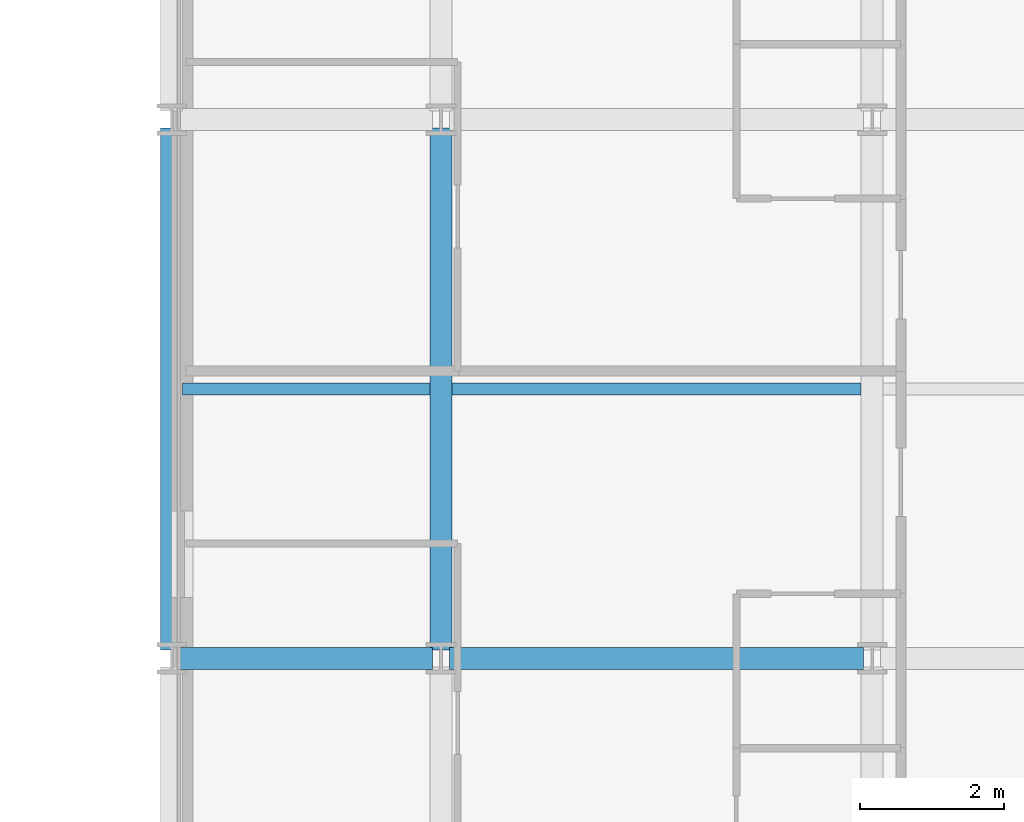
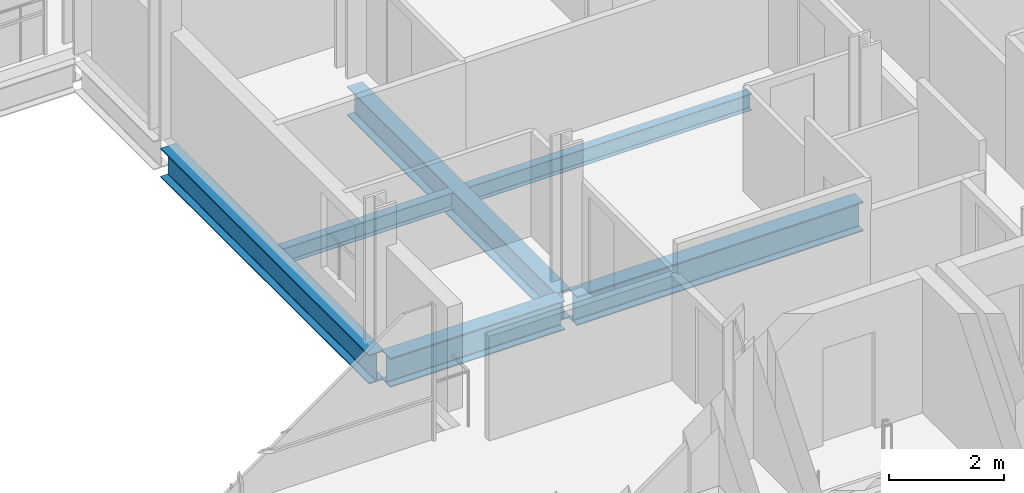
# One storey, part 16 of 40: 6 beams.
"""IFC4 building model written with IfcOpenShell, lengths in metres."""

import ifcopenshell
import ifcopenshell.guid

model = None  # the IFC model being written
_history = None  # IfcOwnerHistory: only IFC2X3 demands one
_inside = {}  # id of a spatial element -> (the spatial element, [elements in it])
_under = {}  # id of a project, library or spatial element -> (it, [spatial elements below it])
_declared = {}  # id of a project -> (the project, [libraries it declares])
_typed = {}  # id of a type object -> (the type object, [elements of that type])
_made_of = {}  # id of a material, layer set ... -> (it, [elements and type objects made of it])


def new_model(schema):
    """Start an empty IFC model of exactly this schema.

    Asked for "IFC4X3", IfcOpenShell would pick the latest addendum, in which some entities
    have other attributes; the version numbers below select the first issue.
    IFC2X3 requires an IfcOwnerHistory on every rooted entity: one is made here for all.
    """
    global model, _history
    if schema == "IFC4X3":
        model = ifcopenshell.file(schema_version=(4, 3, 0, 0))
    else:
        model = ifcopenshell.file(schema=schema)
    _inside.clear()
    _under.clear()
    _declared.clear()
    _typed.clear()
    _made_of.clear()
    _history = None
    if model.schema == "IFC2X3":
        org = make("IfcOrganization", Name="unknown")
        user = make(
            "IfcPersonAndOrganization",
            ThePerson=make("IfcPerson", FamilyName="unknown"),
            TheOrganization=org,
        )
        app = make(
            "IfcApplication",
            ApplicationDeveloper=org,
            Version="unknown",
            ApplicationFullName="unknown",
            ApplicationIdentifier="unknown",
        )
        _history = make(
            "IfcOwnerHistory",
            OwningUser=user,
            OwningApplication=app,
            ChangeAction="ADDED",
            CreationDate=0,
        )
    return model


def make(cls, **values):
    """One entity of the class cls with the attributes given. An attribute that is None is left unset."""
    return model.create_entity(
        cls, **{name: value for name, value in values.items() if value is not None}
    )


def rooted(cls, **values):
    """An entity with a GlobalId (a new one), such as an element, a storey or a relation."""
    return make(cls, GlobalId=ifcopenshell.guid.new(), OwnerHistory=_history, **values)


def si_unit(unit_type, name, prefix=None):
    """IfcSIUnit, for example si_unit("LENGTHUNIT", "METRE", prefix="MILLI")."""
    return make("IfcSIUnit", UnitType=unit_type, Prefix=prefix, Name=name)


def assignment(units):
    """IfcUnitAssignment: the units of a project."""
    return None if units is None else make("IfcUnitAssignment", Units=units)


def point(xyz):
    """IfcCartesianPoint."""
    return None if xyz is None else make("IfcCartesianPoint", Coordinates=xyz)


def direction(xyz):
    """IfcDirection."""
    return None if xyz is None else make("IfcDirection", DirectionRatios=xyz)


def frame(location, z_axis=None, x_axis=None):
    """IfcAxis2Placement3D, a coordinate frame: its origin and axes. An axis left out is left unset."""
    return make(
        "IfcAxis2Placement3D",
        Location=point(location),
        Axis=direction(z_axis),
        RefDirection=direction(x_axis),
    )


def frame_2d(location, x_axis=None):
    """IfcAxis2Placement2D, a coordinate frame in the plane: its origin and x axis."""
    return make(
        "IfcAxis2Placement2D", Location=point(location), RefDirection=direction(x_axis)
    )


def origin():
    """The frame at (0, 0, 0) with its axes left unset."""
    return frame((0.0, 0.0, 0.0))


def origin_2d():
    """The frame at (0, 0) in the plane with its x axis left unset."""
    return frame_2d((0.0, 0.0))


def place(relative_to, where):
    """IfcLocalPlacement: puts the frame where relative to a parent placement (None: the world)."""
    return make(
        "IfcLocalPlacement", PlacementRelTo=relative_to, RelativePlacement=where
    )


def context(
    kind, dimensions, precision=None, world=None, true_north=None, identifier=None
):
    """IfcGeometricRepresentationContext, for example the 3D "Model" context."""
    return make(
        "IfcGeometricRepresentationContext",
        ContextIdentifier=identifier,
        ContextType=kind,
        CoordinateSpaceDimension=dimensions,
        Precision=precision,
        WorldCoordinateSystem=world,
        TrueNorth=true_north,
    )


def subcontext(parent, identifier, kind, view, scale=None):
    """IfcGeometricRepresentationSubContext, for example "Body" below "Model"."""
    return make(
        "IfcGeometricRepresentationSubContext",
        ContextIdentifier=identifier,
        ContextType=kind,
        ParentContext=parent,
        TargetScale=scale,
        TargetView=view,
    )


def project(units=None, contexts=None):
    """IfcProject with its units and contexts."""
    return rooted(
        "IfcProject",
        Name="project",
        RepresentationContexts=contexts,
        UnitsInContext=assignment(units),
    )


def spatial(cls, under=None, at=None, **own):
    """A site, building, storey or space (cls), placed at a placement, below another one or the project."""
    s = rooted(cls, ObjectPlacement=at, **own)
    if under is not None:
        _under.setdefault(under.id(), (under, []))[1].append(s)
    return s


def profile(cls, at=None, kind="AREA", **sizes):
    """A parametric profile (cls). Its sizes go by their IFC names, for example OverallWidth=200.0."""
    return make(cls, ProfileType=kind, Position=at, **sizes)


def i_section(**sizes):
    """IfcIShapeProfileDef."""
    return profile("IfcIShapeProfileDef", **sizes)


def extrude(swept, where, along, depth):
    """IfcExtrudedAreaSolid: the profile swept, set in the frame where, extruded along a direction by depth."""
    return make(
        "IfcExtrudedAreaSolid",
        SweptArea=swept,
        Position=where,
        ExtrudedDirection=direction(along),
        Depth=depth,
    )


def shape(context_of_items, identifier, shape_type, items):
    """IfcShapeRepresentation: the items that make up one representation, for example the "Body"."""
    return make(
        "IfcShapeRepresentation",
        ContextOfItems=context_of_items,
        RepresentationIdentifier=identifier,
        RepresentationType=shape_type,
        Items=items,
    )


def material(Name=None, Category=None):
    """IfcMaterial."""
    return make("IfcMaterial", Name=Name, Category=Category)


def material_profile(
    of_material, cross_section, Name=None, Category=None, Priority=None
):
    """IfcMaterialProfile: a cross section and its material."""
    return make(
        "IfcMaterialProfile",
        Name=Name,
        Material=of_material,
        Profile=cross_section,
        Priority=Priority,
        Category=Category,
    )


def profile_set(profiles, Name=None, composite=None):
    """IfcMaterialProfileSet."""
    return make(
        "IfcMaterialProfileSet",
        Name=Name,
        MaterialProfiles=profiles,
        CompositeProfile=composite,
    )


def made_of(thing, what):
    """Note that an element or type object is made of a material, layer set ...; save() writes the relation."""
    if what is not None:
        _made_of.setdefault(what.id(), (what, []))[1].append(thing)
    return thing


def type_object(cls, material=None, **own):
    """A type object (cls), such as IfcWallType, which elements share."""
    return made_of(rooted(cls, **own), material)


def element(
    cls,
    number,
    at=None,
    inside=None,
    cuts=None,
    type_object=None,
    material=None,
    context=None,
    identifier="Body",
    shape_type=None,
    held_by="IfcProductDefinitionShape",
    body=None,
    shapes=None,
    **own,
):
    """One element of the class cls, such as IfcWall. Its Tag is "e" and its number.

    at: its placement. inside: the storey or other place that contains it. cuts: it is an
    opening in that element (IfcRelVoidsElement). A single representation is given by context,
    identifier, shape_type and body (its items); several are given by shapes. held_by: the class
    of the entity that holds the representations. save() writes the other relations.
    """
    e = rooted(cls, Tag="e%d" % number, ObjectPlacement=at, **own)
    if body is not None:
        shapes = [shape(context, identifier, shape_type, body)]
    if shapes is not None:
        e.Representation = make(held_by, Representations=shapes)
    if inside is not None:
        _inside.setdefault(inside.id(), (inside, []))[1].append(e)
    if cuts is not None:
        rooted(
            "IfcRelVoidsElement", RelatingBuildingElement=cuts, RelatedOpeningElement=e
        )
    if type_object is not None:
        _typed.setdefault(type_object.id(), (type_object, []))[1].append(e)
    return made_of(e, material)


def aggregate(whole, parts):
    """IfcRelAggregates: a whole, such as a stair, and the parts it consists of."""
    return rooted("IfcRelAggregates", RelatingObject=whole, RelatedObjects=parts)


def save(model, path):
    """Write the relations noted so far, then the file.

    IfcRelAggregates (storeys below a building ...), IfcRelContainedInSpatialStructure (elements
    in a storey), IfcRelDefinesByType, IfcRelAssociatesMaterial and IfcRelDeclares: one each for
    every whole, place, type object, material and project.
    """
    for whole, parts in _under.values():
        aggregate(whole, parts)
    for where, things in _inside.values():
        rooted(
            "IfcRelContainedInSpatialStructure",
            RelatedElements=things,
            RelatingStructure=where,
        )
    for kind, things in _typed.values():
        rooted("IfcRelDefinesByType", RelatedObjects=things, RelatingType=kind)
    for what, things in _made_of.values():
        rooted("IfcRelAssociatesMaterial", RelatedObjects=things, RelatingMaterial=what)
    for by, libraries in _declared.values():
        rooted("IfcRelDeclares", RelatingContext=by, RelatedDefinitions=libraries)
    model.write(path)


model = new_model("IFC4")

# Units and contexts
model_context = context("Model", 3, precision=1e-05, world=origin(), true_north=direction((0.0, 1.0)))
body_context = subcontext(model_context, "Body", "Model", "MODEL_VIEW")
ifc_project = project(units=[si_unit("LENGTHUNIT", "METRE"), si_unit("AREAUNIT", "SQUARE_METRE"), si_unit("VOLUMEUNIT", "CUBIC_METRE"), si_unit("PLANEANGLEUNIT", "RADIAN"), si_unit("MASSUNIT", "GRAM", prefix="KILO")], contexts=[model_context])

# Site, building, storey
site_placement = place(None, origin())
site = spatial("IfcSite", under=ifc_project, at=site_placement, CompositionType="ELEMENT")
building_placement = place(site_placement, origin())
building = spatial("IfcBuilding", under=site, at=building_placement, Name="Brevholm Reach", CompositionType="ELEMENT")
storey_placement = place(building_placement, frame((0.0, 0.0, 62.10009765625)))
storey = spatial("IfcBuildingStorey", under=building, at=storey_placement, Name="L17", CompositionType="ELEMENT", Elevation=62.10009765625)

# Beams
ifc_material_1 = material(Name="Structural Steel S355J2", Category="steel")
ifc_material_profile_1 = material_profile(ifc_material_1, i_section(OverallWidth=0.17138671875, OverallDepth=0.35498046875, WebThickness=0.00732421875, FlangeThickness=0.011474609375, FilletRadius=0.01025390625, at=origin_2d()), Name="UKB 356x171x51")
ifc_profile_set_1 = profile_set([ifc_material_profile_1], Name="Structural Steel S355J2")
beam_type_1 = type_object("IfcBeamType", Name="BM-B356", PredefinedType="BEAM", material=ifc_profile_set_1)
beam_1_placement = place(storey_placement, frame((38.403564453125, 19.75, -0.40771484375), z_axis=(1.0, 0.0, 0.0), x_axis=(0.0, 1.0, 0.0)))
element("IfcBeam", 1, at=beam_1_placement, inside=storey, type_object=beam_type_1, Name="L17 Composite Secondary Floor Beam", PredefinedType="BEAM", context=body_context, shape_type="SweptSolid", body=[
    extrude(i_section(OverallWidth=0.17138671875, OverallDepth=0.35498046875, WebThickness=0.00732421875, FlangeThickness=0.011474609375, FilletRadius=0.01025390625, at=origin_2d()), origin(), (0.0, 0.0, 1.0), 3.44287109375),
])
beam_2_placement = place(storey_placement, frame((42.153564453125, 19.75, -0.40771484375), z_axis=(1.0, 0.0, 0.0), x_axis=(0.0, 1.0, 0.0)))
element("IfcBeam", 2, at=beam_2_placement, inside=storey, type_object=beam_type_1, Name="L17 Composite Secondary Floor Beam", PredefinedType="BEAM", context=body_context, shape_type="SweptSolid", body=[
    extrude(i_section(OverallWidth=0.17138671875, OverallDepth=0.35498046875, WebThickness=0.00732421875, FlangeThickness=0.011474609375, FilletRadius=0.01025390625, at=origin_2d()), origin(), (0.0, 0.0, 1.0), 5.69287109375),
])
ifc_material_2 = material(Name="Structural Steel S355J2", Category="steel")
ifc_material_profile_2 = material_profile(ifc_material_2, i_section(OverallWidth=0.30712890625, OverallDepth=0.6201171875, WebThickness=0.01416015625, FlangeThickness=0.023681640625, FilletRadius=0.0166015625, at=origin_2d()), Name="UKB 610x305x179")
ifc_profile_set_2 = profile_set([ifc_material_profile_2], Name="Structural Steel S355J2")
beam_type_2 = type_object("IfcBeamType", Name="BM-UKB610H", PredefinedType="USERDEFINED", material=ifc_profile_set_2)
beam_3_placement = place(storey_placement, frame((38.3701171875, 16.0, -0.540283203125), z_axis=(1.0, 0.0, 0.0), x_axis=(0.0, 1.0, 0.0)))
element("IfcBeam", 3, at=beam_3_placement, inside=storey, type_object=beam_type_2, Name="L17 G-06 Framing Beam", ObjectType="GIRDER", PredefinedType="USERDEFINED", context=body_context, shape_type="SweptSolid", body=[
    extrude(i_section(OverallWidth=0.30712890625, OverallDepth=0.6201171875, WebThickness=0.01416015625, FlangeThickness=0.023681640625, FilletRadius=0.0166015625, at=origin_2d()), origin(), (0.0, 0.0, 1.0), 3.509765625),
])
beam_4_placement = place(storey_placement, frame((42.1201171875, 16.0, -0.540283203125), z_axis=(1.0, 0.0, 0.0), x_axis=(0.0, 1.0, 0.0)))
element("IfcBeam", 4, at=beam_4_placement, inside=storey, type_object=beam_type_2, Name="L17 G-06 Framing Beam", ObjectType="GIRDER", PredefinedType="USERDEFINED", context=body_context, shape_type="SweptSolid", body=[
    extrude(i_section(OverallWidth=0.30712890625, OverallDepth=0.6201171875, WebThickness=0.01416015625, FlangeThickness=0.023681640625, FilletRadius=0.0166015625, at=origin_2d()), origin(), (0.0, 0.0, 1.0), 5.759765625),
])
for number, where, z_axis, x_axis, name in (
    (5, (38.25, 16.1201171875, -0.540283203125), (0.0, 1.0, 0.0), (-1.0, 0.0, 0.0), "L17 G-06 Framing Beam"),
    (6, (42.0, 16.1201171875, -0.540283203125), (0.0, 1.0, 0.0), (-1.0, 0.0, 0.0), "L17 G-06 Framing Beam"),
):
    element("IfcBeam", number, at=place(storey_placement, frame(where, z_axis=z_axis, x_axis=x_axis)), inside=storey, type_object=beam_type_2, Name=name, ObjectType="GIRDER", PredefinedType="USERDEFINED", context=body_context, shape_type="SweptSolid", body=[
        extrude(i_section(OverallWidth=0.30712890625, OverallDepth=0.6201171875, WebThickness=0.01416015625, FlangeThickness=0.023681640625, FilletRadius=0.0166015625, at=origin_2d()), origin(), (0.0, 0.0, 1.0), 7.259765625),
    ])

save(model, "model.ifc")
